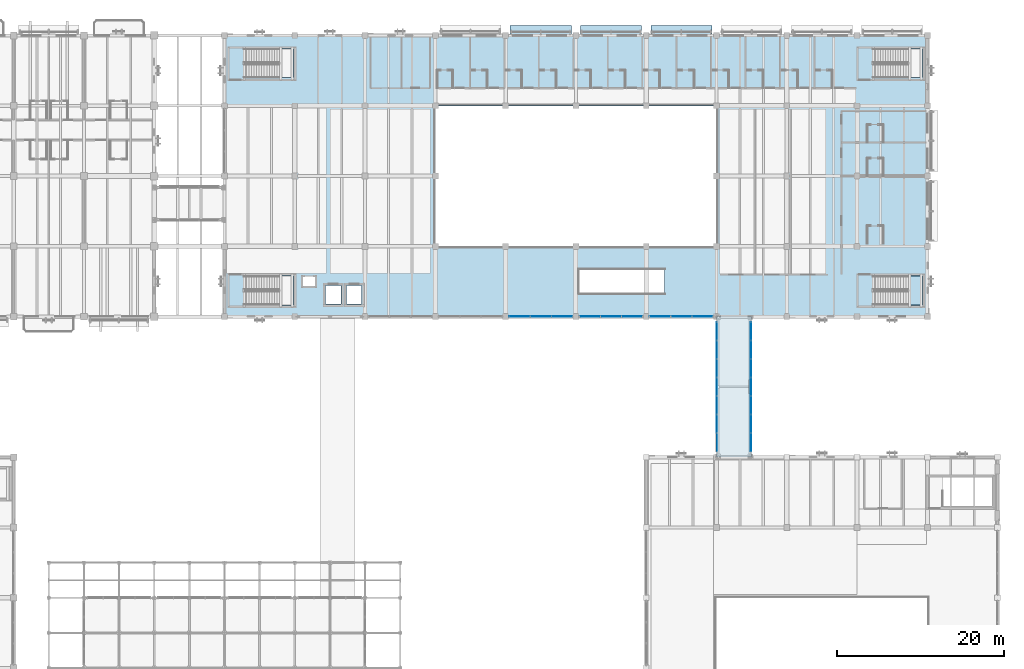
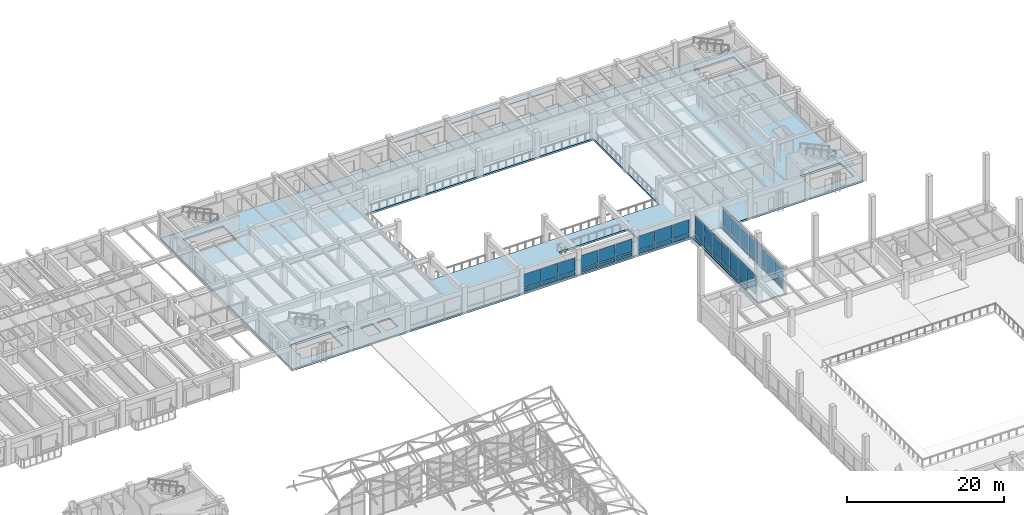
# One storey, part 69 of 132: 48 plates, 3 slabs, 9 elements without a shape of their own.
"""IFC4 building model written with IfcOpenShell, lengths in metres."""

from ifc_helpers import new_model, si_unit, direction, frame, origin, origin_2d, place, context, subcontext, project, spatial, polyline, rectangle, outline, extrude, material, layer, layer_set, type_object, element, aggregate, save


model = new_model("IFC4")

# Units and contexts
model_context = context("Model", 3, precision=1e-05, world=origin(), true_north=direction((0.0, 1.0)))
body_context = subcontext(model_context, "Body", "Model", "MODEL_VIEW")
ifc_project = project(units=[si_unit("LENGTHUNIT", "METRE"), si_unit("AREAUNIT", "SQUARE_METRE"), si_unit("VOLUMEUNIT", "CUBIC_METRE"), si_unit("PLANEANGLEUNIT", "RADIAN"), si_unit("MASSUNIT", "GRAM", prefix="KILO")], contexts=[model_context])

# Site, building, storey
site_placement = place(None, origin())
site = spatial("IfcSite", under=ifc_project, at=site_placement, CompositionType="ELEMENT")
building_placement = place(site_placement, origin())
building = spatial("IfcBuilding", under=site, at=building_placement, Name="Cumbredor Promenade Congress Hotel", CompositionType="ELEMENT")
storey_placement = place(building_placement, frame((0.0, 0.0, 7.56005859375)))
storey = spatial("IfcBuildingStorey", under=building, at=storey_placement, Name="L02", CompositionType="ELEMENT", Elevation=7.56005859375)

# Stair, slab
ifc_material_1 = material(Name="Concrete C40/50", Category="concrete")
stair_type = type_object("IfcStairType", Name="Protected Dog-Leg Exit Stair ST-T3 1650mm", PredefinedType="HALF_TURN_STAIR", material=ifc_material_1)
stair_placement = place(storey_placement, origin())
stair = element("IfcStair", 1, at=stair_placement, inside=storey, type_object=stair_type, Name="L02 Protected Exit Stair ST-14", PredefinedType="HALF_TURN_STAIR")
ifc_layer_1 = layer(ifc_material_1, 0.199951171875, Name="Concrete C40/50", Category="concrete")
ifc_layer_set_1 = layer_set([ifc_layer_1], Name="Concrete C40/50")
slab_type_1 = type_object("IfcSlabType", Name="Concrete Stair Landing Slab 200mm", PredefinedType="LANDING", material=ifc_layer_set_1)
slab_1_placement = place(storey_placement, frame((0.0, 0.0, 1.89990234375)))
slab_1 = element("IfcSlab", 2, at=slab_1_placement, type_object=slab_type_1, Name="ST-14 landing 1", PredefinedType="LANDING", context=body_context, shape_type="SweptSolid", body=[
    extrude(outline(polyline([(174.1201171875, 85.39990234375), (175.820068359375, 85.39990234375), (175.820068359375, 88.85009765625), (174.1201171875, 88.85009765625), (174.1201171875, 85.39990234375)])), origin(), (0.0, 0.0, 1.0), 0.199951171875),
])
aggregate(stair, [slab_1])

# Slab
ifc_layer_2 = layer(ifc_material_1, 0.280029296875, Name="Concrete C40/50", Category="concrete")
ifc_layer_set_2 = layer_set([ifc_layer_2], Name="Concrete C40/50")
slab_type_2 = type_object("IfcSlabType", Name="Gallery Floor Slab 280mm", PredefinedType="FLOOR", material=ifc_layer_set_2)
slab_2_placement = place(storey_placement, frame((0.0, 0.0, -0.280029296875)))
element("IfcSlab", 3, at=slab_2_placement, inside=storey, type_object=slab_type_2, Name="L02 Pre-Function and Breakout Meeting Forum Floor Slab", PredefinedType="FLOOR", context=body_context, shape_type="SweptSolid", body=[
    extrude(outline(polyline([(92.39990234375, 84.0), (176.39990234375, 84.0), (176.39990234375, 117.60009765625), (92.39990234375, 117.60009765625), (92.39990234375, 84.0)]), holes=[polyline([(94.75, 85.39990234375), (100.64990234375, 85.39990234375), (100.64990234375, 88.85009765625), (94.75, 88.85009765625), (94.75, 85.39990234375)]), polyline([(169.919921875, 85.39990234375), (175.820068359375, 85.39990234375), (175.820068359375, 88.85009765625), (169.919921875, 88.85009765625), (169.919921875, 85.39990234375)]), polyline([(94.75, 112.550048828125), (100.64990234375, 112.550048828125), (100.64990234375, 116.0), (94.75, 116.0), (94.75, 112.550048828125)]), polyline([(169.919921875, 112.550048828125), (175.820068359375, 112.550048828125), (175.820068359375, 116.0), (169.919921875, 116.0), (169.919921875, 112.550048828125)]), polyline([(104.5, 85.5), (106.300048828125, 85.5), (106.300048828125, 87.699951171875), (104.5, 87.699951171875), (104.5, 85.5)]), polyline([(107.0, 85.5), (108.800048828125, 85.5), (108.800048828125, 87.699951171875), (107.0, 87.699951171875), (107.0, 85.5)]), polyline([(101.699951171875, 87.60009765625), (103.300048828125, 87.60009765625), (103.300048828125, 88.800048828125), (101.699951171875, 88.800048828125), (101.699951171875, 87.60009765625)]), polyline([(117.60009765625, 92.39990234375), (151.199951171875, 92.39990234375), (151.199951171875, 109.199951171875), (117.60009765625, 109.199951171875), (117.60009765625, 92.39990234375)]), polyline([(134.800048828125, 86.800048828125), (145.0, 86.800048828125), (145.0, 89.60009765625), (134.800048828125, 89.60009765625), (134.800048828125, 86.800048828125)])]), origin(), (0.0, 0.0, 1.0), 0.280029296875),
])

# Curtain wall, plates
ifc_material_2 = material(Name="Thermally broken anodized aluminium and low-E glass", Category="aluminium")
curtain_wall_type_1 = type_object("IfcCurtainWallType", Name="Unitised Bridge Glazing Screen CW-05", PredefinedType="NOTDEFINED", material=ifc_material_2)
curtain_wall_1_placement = place(storey_placement, origin())
curtain_wall_1 = element("IfcCurtainWall", 4, at=curtain_wall_1_placement, inside=storey, type_object=curtain_wall_type_1, Name="L02 East Ballroom-to-Forum Glazed Bridge West Glazing Screen", PredefinedType="NOTDEFINED")
ifc_material_3 = material(Name="Laminated low-E solar-control glass", Category="glass")
ifc_layer_3 = layer(ifc_material_3, 0.030029296875, Name="Laminated low-E solar-control glass", Category="glass")
ifc_layer_set_3 = layer_set([ifc_layer_3], Name="Laminated low-E solar-control glass")
plate_type_1 = type_object("IfcPlateType", Name="Glazed Bridge Panel PNL-04", PredefinedType="CURTAIN_PANEL", material=ifc_layer_set_3)
plate_1_placement = place(storey_placement, frame((151.280029296875, 68.9658203125, 0.78515625), z_axis=(0.0, 0.0, 1.0), x_axis=(0.0, 1.0, 0.0)))
plate_1 = element("IfcPlate", 5, at=plate_1_placement, type_object=plate_type_1, Name="L02 East Ballroom-to-Forum Glazed Bridge West Glazing Screen Glazing Panel 1.2", PredefinedType="CURTAIN_PANEL", context=body_context, shape_type="SweptSolid", body=[
    extrude(rectangle(XDim=2.146484375, YDim=0.030029296875, at=origin_2d()), origin(), (0.0, 0.0, 1.0), 2.909912109375),
])
plate_2_placement = place(storey_placement, frame((151.280029296875, 71.177001953125, 0.78515625), z_axis=(0.0, 0.0, 1.0), x_axis=(0.0, 1.0, 0.0)))
plate_2 = element("IfcPlate", 6, at=plate_2_placement, type_object=plate_type_1, Name="L02 East Ballroom-to-Forum Glazed Bridge West Glazing Screen Glazing Panel 2.2", PredefinedType="CURTAIN_PANEL", context=body_context, shape_type="SweptSolid", body=[
    extrude(rectangle(XDim=2.146484375, YDim=0.030029296875, at=origin_2d()), origin(), (0.0, 0.0, 1.0), 2.909912109375),
])
plate_3_placement = place(storey_placement, frame((151.280029296875, 73.388671875, 0.78515625), z_axis=(0.0, 0.0, 1.0), x_axis=(0.0, 1.0, 0.0)))
plate_3 = element("IfcPlate", 7, at=plate_3_placement, type_object=plate_type_1, Name="L02 East Ballroom-to-Forum Glazed Bridge West Glazing Screen Glazing Panel 3.2", PredefinedType="CURTAIN_PANEL", context=body_context, shape_type="SweptSolid", body=[
    extrude(rectangle(XDim=2.146484375, YDim=0.030029296875, at=origin_2d()), origin(), (0.0, 0.0, 1.0), 2.909912109375),
])
plate_4_placement = place(storey_placement, frame((151.280029296875, 75.60009765625, 0.78515625), z_axis=(0.0, 0.0, 1.0), x_axis=(0.0, 1.0, 0.0)))
plate_4 = element("IfcPlate", 8, at=plate_4_placement, type_object=plate_type_1, Name="L02 East Ballroom-to-Forum Glazed Bridge West Glazing Screen Glazing Panel 4.2", PredefinedType="CURTAIN_PANEL", context=body_context, shape_type="SweptSolid", body=[
    extrude(rectangle(XDim=2.146484375, YDim=0.030029296875, at=origin_2d()), origin(), (0.0, 0.0, 1.0), 2.909912109375),
])
plate_5_placement = place(storey_placement, frame((151.280029296875, 77.811279296875, 0.78515625), z_axis=(0.0, 0.0, 1.0), x_axis=(0.0, 1.0, 0.0)))
plate_5 = element("IfcPlate", 9, at=plate_5_placement, type_object=plate_type_1, Name="L02 East Ballroom-to-Forum Glazed Bridge West Glazing Screen Glazing Panel 5.2", PredefinedType="CURTAIN_PANEL", context=body_context, shape_type="SweptSolid", body=[
    extrude(rectangle(XDim=2.146484375, YDim=0.030029296875, at=origin_2d()), origin(), (0.0, 0.0, 1.0), 2.909912109375),
])
plate_6_placement = place(storey_placement, frame((151.280029296875, 80.02294921875, 0.78515625), z_axis=(0.0, 0.0, 1.0), x_axis=(0.0, 1.0, 0.0)))
plate_6 = element("IfcPlate", 10, at=plate_6_placement, type_object=plate_type_1, Name="L02 East Ballroom-to-Forum Glazed Bridge West Glazing Screen Glazing Panel 6.2", PredefinedType="CURTAIN_PANEL", context=body_context, shape_type="SweptSolid", body=[
    extrude(rectangle(XDim=2.146484375, YDim=0.030029296875, at=origin_2d()), origin(), (0.0, 0.0, 1.0), 2.909912109375),
])
plate_7_placement = place(storey_placement, frame((151.280029296875, 82.234375, 0.78515625), z_axis=(0.0, 0.0, 1.0), x_axis=(0.0, 1.0, 0.0)))
plate_7 = element("IfcPlate", 11, at=plate_7_placement, type_object=plate_type_1, Name="L02 East Ballroom-to-Forum Glazed Bridge West Glazing Screen Glazing Panel 7.2", PredefinedType="CURTAIN_PANEL", context=body_context, shape_type="SweptSolid", body=[
    extrude(rectangle(XDim=2.146484375, YDim=0.030029296875, at=origin_2d()), origin(), (0.0, 0.0, 1.0), 2.909912109375),
])

curtain_wall_2_placement = place(storey_placement, origin())
curtain_wall_2 = element("IfcCurtainWall", 12, at=curtain_wall_2_placement, inside=storey, type_object=curtain_wall_type_1, Name="L02 East Ballroom-to-Forum Glazed Bridge East Glazing Screen", PredefinedType="NOTDEFINED")
plate_8_placement = place(storey_placement, frame((155.320068359375, 68.9658203125, 0.78515625), z_axis=(0.0, 0.0, 1.0), x_axis=(0.0, 1.0, 0.0)))
plate_8 = element("IfcPlate", 13, at=plate_8_placement, type_object=plate_type_1, Name="L02 East Ballroom-to-Forum Glazed Bridge East Glazing Screen Glazing Panel 1.2", PredefinedType="CURTAIN_PANEL", context=body_context, shape_type="SweptSolid", body=[
    extrude(rectangle(XDim=2.146484375, YDim=0.030029296875, at=origin_2d()), origin(), (0.0, 0.0, 1.0), 2.909912109375),
])
plate_9_placement = place(storey_placement, frame((155.320068359375, 71.177001953125, 0.78515625), z_axis=(0.0, 0.0, 1.0), x_axis=(0.0, 1.0, 0.0)))
plate_9 = element("IfcPlate", 14, at=plate_9_placement, type_object=plate_type_1, Name="L02 East Ballroom-to-Forum Glazed Bridge East Glazing Screen Glazing Panel 2.2", PredefinedType="CURTAIN_PANEL", context=body_context, shape_type="SweptSolid", body=[
    extrude(rectangle(XDim=2.146484375, YDim=0.030029296875, at=origin_2d()), origin(), (0.0, 0.0, 1.0), 2.909912109375),
])
plate_10_placement = place(storey_placement, frame((155.320068359375, 73.388671875, 0.78515625), z_axis=(0.0, 0.0, 1.0), x_axis=(0.0, 1.0, 0.0)))
plate_10 = element("IfcPlate", 15, at=plate_10_placement, type_object=plate_type_1, Name="L02 East Ballroom-to-Forum Glazed Bridge East Glazing Screen Glazing Panel 3.2", PredefinedType="CURTAIN_PANEL", context=body_context, shape_type="SweptSolid", body=[
    extrude(rectangle(XDim=2.146484375, YDim=0.030029296875, at=origin_2d()), origin(), (0.0, 0.0, 1.0), 2.909912109375),
])
plate_11_placement = place(storey_placement, frame((155.320068359375, 75.60009765625, 0.78515625), z_axis=(0.0, 0.0, 1.0), x_axis=(0.0, 1.0, 0.0)))
plate_11 = element("IfcPlate", 16, at=plate_11_placement, type_object=plate_type_1, Name="L02 East Ballroom-to-Forum Glazed Bridge East Glazing Screen Glazing Panel 4.2", PredefinedType="CURTAIN_PANEL", context=body_context, shape_type="SweptSolid", body=[
    extrude(rectangle(XDim=2.146484375, YDim=0.030029296875, at=origin_2d()), origin(), (0.0, 0.0, 1.0), 2.909912109375),
])
plate_12_placement = place(storey_placement, frame((155.320068359375, 77.811279296875, 0.78515625), z_axis=(0.0, 0.0, 1.0), x_axis=(0.0, 1.0, 0.0)))
plate_12 = element("IfcPlate", 17, at=plate_12_placement, type_object=plate_type_1, Name="L02 East Ballroom-to-Forum Glazed Bridge East Glazing Screen Glazing Panel 5.2", PredefinedType="CURTAIN_PANEL", context=body_context, shape_type="SweptSolid", body=[
    extrude(rectangle(XDim=2.146484375, YDim=0.030029296875, at=origin_2d()), origin(), (0.0, 0.0, 1.0), 2.909912109375),
])
plate_13_placement = place(storey_placement, frame((155.320068359375, 80.02294921875, 0.78515625), z_axis=(0.0, 0.0, 1.0), x_axis=(0.0, 1.0, 0.0)))
plate_13 = element("IfcPlate", 18, at=plate_13_placement, type_object=plate_type_1, Name="L02 East Ballroom-to-Forum Glazed Bridge East Glazing Screen Glazing Panel 6.2", PredefinedType="CURTAIN_PANEL", context=body_context, shape_type="SweptSolid", body=[
    extrude(rectangle(XDim=2.146484375, YDim=0.030029296875, at=origin_2d()), origin(), (0.0, 0.0, 1.0), 2.909912109375),
])
plate_14_placement = place(storey_placement, frame((155.320068359375, 82.234375, 0.78515625), z_axis=(0.0, 0.0, 1.0), x_axis=(0.0, 1.0, 0.0)))
plate_14 = element("IfcPlate", 19, at=plate_14_placement, type_object=plate_type_1, Name="L02 East Ballroom-to-Forum Glazed Bridge East Glazing Screen Glazing Panel 7.2", PredefinedType="CURTAIN_PANEL", context=body_context, shape_type="SweptSolid", body=[
    extrude(rectangle(XDim=2.146484375, YDim=0.030029296875, at=origin_2d()), origin(), (0.0, 0.0, 1.0), 2.909912109375),
])

curtain_wall_type_2 = type_object("IfcCurtainWallType", Name="Unitised Forum Curtain Wall CW-02", PredefinedType="NOTDEFINED", material=ifc_material_2)
curtain_wall_3_placement = place(storey_placement, origin())
curtain_wall_3 = element("IfcCurtainWall", 20, at=curtain_wall_3_placement, inside=storey, type_object=curtain_wall_type_2, Name="L02 Pre-Function and Breakout Meeting Forum South Curtain Wall 7", PredefinedType="NOTDEFINED")
ifc_layer_4 = layer(ifc_material_3, 0.028076171875, Name="Laminated low-E solar-control glass", Category="glass")
ifc_layer_set_4 = layer_set([ifc_layer_4], Name="Laminated low-E solar-control glass")
plate_type_2 = type_object("IfcPlateType", Name="Glazed Vision Panel PNL-01", PredefinedType="CURTAIN_PANEL", material=ifc_layer_set_4)
plate_15_placement = place(storey_placement, frame((144.469970703125, 84.0, 0.78466796875), z_axis=(0.0, 0.0, 1.0), x_axis=(1.0, 0.0, 0.0)))
plate_15 = element("IfcPlate", 21, at=plate_15_placement, type_object=plate_type_2, Name="L02 Pre-Function and Breakout Meeting Forum South Curtain Wall 7 Glazing Panel 1.2", PredefinedType="CURTAIN_PANEL", context=body_context, shape_type="SweptSolid", body=[
    extrude(rectangle(XDim=2.465087890625, YDim=0.028076171875, at=origin_2d()), origin(), (0.0, 0.0, 1.0), 2.070068359375),
])
plate_16_placement = place(storey_placement, frame((147.0, 84.0, 0.78466796875), z_axis=(0.0, 0.0, 1.0), x_axis=(1.0, 0.0, 0.0)))
plate_16 = element("IfcPlate", 22, at=plate_16_placement, type_object=plate_type_2, Name="L02 Pre-Function and Breakout Meeting Forum South Curtain Wall 7 Glazing Panel 2.2", PredefinedType="CURTAIN_PANEL", context=body_context, shape_type="SweptSolid", body=[
    extrude(rectangle(XDim=2.465087890625, YDim=0.028076171875, at=origin_2d()), origin(), (0.0, 0.0, 1.0), 2.070068359375),
])
plate_17_placement = place(storey_placement, frame((149.530029296875, 84.0, 0.78466796875), z_axis=(0.0, 0.0, 1.0), x_axis=(1.0, 0.0, 0.0)))
plate_17 = element("IfcPlate", 23, at=plate_17_placement, type_object=plate_type_2, Name="L02 Pre-Function and Breakout Meeting Forum South Curtain Wall 7 Glazing Panel 3.2", PredefinedType="CURTAIN_PANEL", context=body_context, shape_type="SweptSolid", body=[
    extrude(rectangle(XDim=2.465087890625, YDim=0.028076171875, at=origin_2d()), origin(), (0.0, 0.0, 1.0), 2.070068359375),
])

curtain_wall_4_placement = place(storey_placement, origin())
curtain_wall_4 = element("IfcCurtainWall", 24, at=curtain_wall_4_placement, inside=storey, type_object=curtain_wall_type_2, Name="L02 Pre-Function and Breakout Meeting Forum South Curtain Wall 5", PredefinedType="NOTDEFINED")
ifc_layer_5 = layer(ifc_material_3, 0.031982421875, Name="Laminated low-E solar-control glass", Category="glass")
ifc_layer_set_5 = layer_set([ifc_layer_5], Name="Laminated low-E solar-control glass")
plate_type_3 = type_object("IfcPlateType", Name="Glazed Vision Panel PNL-02", PredefinedType="CURTAIN_PANEL", material=ifc_layer_set_5)
plate_18_placement = place(storey_placement, frame((127.669921875, 84.0, 0.794921875), z_axis=(0.0, 0.0, 1.0), x_axis=(1.0, 0.0, 0.0)))
plate_18 = element("IfcPlate", 25, at=plate_18_placement, type_object=plate_type_3, Name="L02 Pre-Function and Breakout Meeting Forum South Curtain Wall 5 Glazing Panel 1.2", PredefinedType="CURTAIN_PANEL", context=body_context, shape_type="SweptSolid", body=[
    extrude(rectangle(XDim=2.455078125, YDim=0.031982421875, at=origin_2d()), origin(), (0.0, 0.0, 1.0), 2.0400390625),
])
plate_19_placement = place(storey_placement, frame((130.199951171875, 84.0, 0.794921875), z_axis=(0.0, 0.0, 1.0), x_axis=(1.0, 0.0, 0.0)))
plate_19 = element("IfcPlate", 26, at=plate_19_placement, type_object=plate_type_3, Name="L02 Pre-Function and Breakout Meeting Forum South Curtain Wall 5 Glazing Panel 2.2", PredefinedType="CURTAIN_PANEL", context=body_context, shape_type="SweptSolid", body=[
    extrude(rectangle(XDim=2.455078125, YDim=0.031982421875, at=origin_2d()), origin(), (0.0, 0.0, 1.0), 2.0400390625),
])
plate_20_placement = place(storey_placement, frame((132.72998046875, 84.0, 0.794921875), z_axis=(0.0, 0.0, 1.0), x_axis=(1.0, 0.0, 0.0)))
plate_20 = element("IfcPlate", 27, at=plate_20_placement, type_object=plate_type_3, Name="L02 Pre-Function and Breakout Meeting Forum South Curtain Wall 5 Glazing Panel 3.2", PredefinedType="CURTAIN_PANEL", context=body_context, shape_type="SweptSolid", body=[
    extrude(rectangle(XDim=2.455078125, YDim=0.031982421875, at=origin_2d()), origin(), (0.0, 0.0, 1.0), 2.0400390625),
])

curtain_wall_5_placement = place(storey_placement, origin())
curtain_wall_5 = element("IfcCurtainWall", 28, at=curtain_wall_5_placement, inside=storey, type_object=curtain_wall_type_2, Name="L02 Pre-Function and Breakout Meeting Forum South Curtain Wall 6", PredefinedType="NOTDEFINED")
ifc_layer_6 = layer(ifc_material_3, 0.028076171875, Name="Laminated low-E solar-control glass", Category="glass")
ifc_layer_set_6 = layer_set([ifc_layer_6], Name="Laminated low-E solar-control glass")
plate_type_4 = type_object("IfcPlateType", Name="Glazed Vision Panel PNL-03", PredefinedType="CURTAIN_PANEL", material=ifc_layer_set_6)
plate_21_placement = place(storey_placement, frame((136.070068359375, 84.0, 0.81005859375), z_axis=(0.0, 0.0, 1.0), x_axis=(1.0, 0.0, 0.0)))
plate_21 = element("IfcPlate", 29, at=plate_21_placement, type_object=plate_type_4, Name="L02 Pre-Function and Breakout Meeting Forum South Curtain Wall 6 Glazing Panel 1.2", PredefinedType="CURTAIN_PANEL", context=body_context, shape_type="SweptSolid", body=[
    extrude(rectangle(XDim=2.449951171875, YDim=0.028076171875, at=origin_2d()), origin(), (0.0, 0.0, 1.0), 2.0),
])
plate_22_placement = place(storey_placement, frame((138.60009765625, 84.0, 0.81005859375), z_axis=(0.0, 0.0, 1.0), x_axis=(1.0, 0.0, 0.0)))
plate_22 = element("IfcPlate", 30, at=plate_22_placement, type_object=plate_type_4, Name="L02 Pre-Function and Breakout Meeting Forum South Curtain Wall 6 Glazing Panel 2.2", PredefinedType="CURTAIN_PANEL", context=body_context, shape_type="SweptSolid", body=[
    extrude(rectangle(XDim=2.449951171875, YDim=0.028076171875, at=origin_2d()), origin(), (0.0, 0.0, 1.0), 2.0),
])
plate_23_placement = place(storey_placement, frame((141.1298828125, 84.0, 0.81005859375), z_axis=(0.0, 0.0, 1.0), x_axis=(1.0, 0.0, 0.0)))
plate_23 = element("IfcPlate", 31, at=plate_23_placement, type_object=plate_type_4, Name="L02 Pre-Function and Breakout Meeting Forum South Curtain Wall 6 Glazing Panel 3.2", PredefinedType="CURTAIN_PANEL", context=body_context, shape_type="SweptSolid", body=[
    extrude(rectangle(XDim=2.449951171875, YDim=0.028076171875, at=origin_2d()), origin(), (0.0, 0.0, 1.0), 2.0),
])

# Curtain wall, plate
curtain_wall_type_3 = type_object("IfcCurtainWallType", Name="Solar Brise-Soleil Screen Assembly CW-07", PredefinedType="NOTDEFINED", material=ifc_material_2)
curtain_wall_6_placement = place(storey_placement, origin())
curtain_wall_6 = element("IfcCurtainWall", 32, at=curtain_wall_6_placement, inside=storey, type_object=curtain_wall_type_3, Name="L02 Hospitality Brise-Soleil Screen 031", PredefinedType="NOTDEFINED")
ifc_material_4 = material(Name="Precast concrete C40/50", Category="concrete")
ifc_layer_7 = layer(ifc_material_4, 0.14501953125, Name="Precast concrete C40/50", Category="concrete")
ifc_layer_set_7 = layer_set([ifc_layer_7], Name="Precast concrete C40/50")
plate_type_5 = type_object("IfcPlateType", Name="Horizontal Precast Sun-Hood Eyebrow Plate 145mm", PredefinedType="USERDEFINED", material=ifc_layer_set_7)
plate_24_placement = place(storey_placement, frame((130.199951171875, 118.14990234375, 2.824951171875), z_axis=(0.0, 0.0, 1.0), x_axis=(1.0, 0.0, 0.0)))
plate_24 = element("IfcPlate", 33, at=plate_24_placement, type_object=plate_type_5, Name="L02 Horizontal Sun-Hood Eyebrow 031", ObjectType="SUN HOOD", PredefinedType="USERDEFINED", context=body_context, shape_type="SweptSolid", body=[
    extrude(rectangle(XDim=7.298095703125, YDim=1.260009765625, at=origin_2d()), origin(), (0.0, 0.0, 1.0), 0.14501953125),
])
aggregate(curtain_wall_6, [plate_24])

curtain_wall_7_placement = place(storey_placement, origin())
curtain_wall_7 = element("IfcCurtainWall", 34, at=curtain_wall_7_placement, inside=storey, type_object=curtain_wall_type_3, Name="L02 Hospitality Brise-Soleil Screen 032", PredefinedType="NOTDEFINED")
plate_25_placement = place(storey_placement, frame((138.60009765625, 118.155029296875, 2.824951171875), z_axis=(0.0, 0.0, 1.0), x_axis=(1.0, 0.0, 0.0)))
plate_25 = element("IfcPlate", 35, at=plate_25_placement, type_object=plate_type_5, Name="L02 Horizontal Sun-Hood Eyebrow 032", ObjectType="SUN HOOD", PredefinedType="USERDEFINED", context=body_context, shape_type="SweptSolid", body=[
    extrude(rectangle(XDim=7.298095703125, YDim=1.27001953125, at=origin_2d()), origin(), (0.0, 0.0, 1.0), 0.14501953125),
])
aggregate(curtain_wall_7, [plate_25])

curtain_wall_8_placement = place(storey_placement, origin())
curtain_wall_8 = element("IfcCurtainWall", 36, at=curtain_wall_8_placement, inside=storey, type_object=curtain_wall_type_3, Name="L02 Hospitality Brise-Soleil Screen 033", PredefinedType="NOTDEFINED")
plate_26_placement = place(storey_placement, frame((147.0, 118.159912109375, 2.824951171875), z_axis=(0.0, 0.0, 1.0), x_axis=(1.0, 0.0, 0.0)))
plate_26 = element("IfcPlate", 37, at=plate_26_placement, type_object=plate_type_5, Name="L02 Horizontal Sun-Hood Eyebrow 033", ObjectType="SUN HOOD", PredefinedType="USERDEFINED", context=body_context, shape_type="SweptSolid", body=[
    extrude(rectangle(XDim=7.298095703125, YDim=1.280029296875, at=origin_2d()), origin(), (0.0, 0.0, 1.0), 0.14501953125),
])
aggregate(curtain_wall_8, [plate_26])

# Plate
ifc_material_5 = material(Name="Thermally broken anodized aluminium", Category="aluminium")
ifc_layer_8 = layer(ifc_material_5, 0.0400390625, Name="Thermally broken anodized aluminium", Category="aluminium")
ifc_layer_set_8 = layer_set([ifc_layer_8], Name="Thermally broken anodized aluminium")
plate_type_6 = type_object("IfcPlateType", Name="Insulated Spandrel Panel PNL-05", PredefinedType="CURTAIN_PANEL", material=ifc_layer_set_8)
plate_27_placement = place(storey_placement, frame((136.070068359375, 84.0, 0.18017578125), z_axis=(0.0, 0.0, 1.0), x_axis=(1.0, 0.0, 0.0)))
plate_27 = element("IfcPlate", 38, at=plate_27_placement, type_object=plate_type_6, Name="L02 Pre-Function and Breakout Meeting Forum South Curtain Wall 6 Spandrel Panel 1.1", PredefinedType="CURTAIN_PANEL", context=body_context, shape_type="SweptSolid", body=[
    extrude(rectangle(XDim=2.449951171875, YDim=0.0400390625, at=origin_2d()), origin(), (0.0, 0.0, 1.0), 0.449951171875),
])

plate_28_placement = place(storey_placement, frame((138.60009765625, 84.0, 0.18017578125), z_axis=(0.0, 0.0, 1.0), x_axis=(1.0, 0.0, 0.0)))
plate_28 = element("IfcPlate", 39, at=plate_28_placement, type_object=plate_type_6, Name="L02 Pre-Function and Breakout Meeting Forum South Curtain Wall 6 Spandrel Panel 2.1", PredefinedType="CURTAIN_PANEL", context=body_context, shape_type="SweptSolid", body=[
    extrude(rectangle(XDim=2.449951171875, YDim=0.0400390625, at=origin_2d()), origin(), (0.0, 0.0, 1.0), 0.449951171875),
])

plate_29_placement = place(storey_placement, frame((141.1298828125, 84.0, 0.18017578125), z_axis=(0.0, 0.0, 1.0), x_axis=(1.0, 0.0, 0.0)))
plate_29 = element("IfcPlate", 40, at=plate_29_placement, type_object=plate_type_6, Name="L02 Pre-Function and Breakout Meeting Forum South Curtain Wall 6 Spandrel Panel 3.1", PredefinedType="CURTAIN_PANEL", context=body_context, shape_type="SweptSolid", body=[
    extrude(rectangle(XDim=2.449951171875, YDim=0.0400390625, at=origin_2d()), origin(), (0.0, 0.0, 1.0), 0.449951171875),
])

aggregate(curtain_wall_5, [plate_27, plate_21, plate_28, plate_22, plate_29, plate_23])

ifc_layer_9 = layer(ifc_material_5, 0.0400390625, Name="Thermally broken anodized aluminium", Category="aluminium")
ifc_layer_set_9 = layer_set([ifc_layer_9], Name="Thermally broken anodized aluminium")
plate_type_7 = type_object("IfcPlateType", Name="Insulated Spandrel Panel PNL-06", PredefinedType="CURTAIN_PANEL", material=ifc_layer_set_9)
plate_30_placement = place(storey_placement, frame((127.669921875, 84.0, 0.14501953125), z_axis=(0.0, 0.0, 1.0), x_axis=(1.0, 0.0, 0.0)))
plate_30 = element("IfcPlate", 41, at=plate_30_placement, type_object=plate_type_7, Name="L02 Pre-Function and Breakout Meeting Forum South Curtain Wall 5 Spandrel Panel 1.1", PredefinedType="CURTAIN_PANEL", context=body_context, shape_type="SweptSolid", body=[
    extrude(rectangle(XDim=2.455078125, YDim=0.0400390625, at=origin_2d()), origin(), (0.0, 0.0, 1.0), 0.5),
])

plate_31_placement = place(storey_placement, frame((130.199951171875, 84.0, 0.14501953125), z_axis=(0.0, 0.0, 1.0), x_axis=(1.0, 0.0, 0.0)))
plate_31 = element("IfcPlate", 42, at=plate_31_placement, type_object=plate_type_7, Name="L02 Pre-Function and Breakout Meeting Forum South Curtain Wall 5 Spandrel Panel 2.1", PredefinedType="CURTAIN_PANEL", context=body_context, shape_type="SweptSolid", body=[
    extrude(rectangle(XDim=2.455078125, YDim=0.0400390625, at=origin_2d()), origin(), (0.0, 0.0, 1.0), 0.5),
])

plate_32_placement = place(storey_placement, frame((132.72998046875, 84.0, 0.14501953125), z_axis=(0.0, 0.0, 1.0), x_axis=(1.0, 0.0, 0.0)))
plate_32 = element("IfcPlate", 43, at=plate_32_placement, type_object=plate_type_7, Name="L02 Pre-Function and Breakout Meeting Forum South Curtain Wall 5 Spandrel Panel 3.1", PredefinedType="CURTAIN_PANEL", context=body_context, shape_type="SweptSolid", body=[
    extrude(rectangle(XDim=2.455078125, YDim=0.0400390625, at=origin_2d()), origin(), (0.0, 0.0, 1.0), 0.5),
])

aggregate(curtain_wall_4, [plate_30, plate_18, plate_31, plate_19, plate_32, plate_20])

plate_33_placement = place(storey_placement, frame((144.469970703125, 84.0, 0.125), z_axis=(0.0, 0.0, 1.0), x_axis=(1.0, 0.0, 0.0)))
plate_33 = element("IfcPlate", 44, at=plate_33_placement, type_object=plate_type_7, Name="L02 Pre-Function and Breakout Meeting Forum South Curtain Wall 7 Spandrel Panel 1.1", PredefinedType="CURTAIN_PANEL", context=body_context, shape_type="SweptSolid", body=[
    extrude(rectangle(XDim=2.465087890625, YDim=0.0400390625, at=origin_2d()), origin(), (0.0, 0.0, 1.0), 0.530029296875),
])

plate_34_placement = place(storey_placement, frame((147.0, 84.0, 0.125), z_axis=(0.0, 0.0, 1.0), x_axis=(1.0, 0.0, 0.0)))
plate_34 = element("IfcPlate", 45, at=plate_34_placement, type_object=plate_type_7, Name="L02 Pre-Function and Breakout Meeting Forum South Curtain Wall 7 Spandrel Panel 2.1", PredefinedType="CURTAIN_PANEL", context=body_context, shape_type="SweptSolid", body=[
    extrude(rectangle(XDim=2.465087890625, YDim=0.0400390625, at=origin_2d()), origin(), (0.0, 0.0, 1.0), 0.530029296875),
])

plate_35_placement = place(storey_placement, frame((149.530029296875, 84.0, 0.125), z_axis=(0.0, 0.0, 1.0), x_axis=(1.0, 0.0, 0.0)))
plate_35 = element("IfcPlate", 46, at=plate_35_placement, type_object=plate_type_7, Name="L02 Pre-Function and Breakout Meeting Forum South Curtain Wall 7 Spandrel Panel 3.1", PredefinedType="CURTAIN_PANEL", context=body_context, shape_type="SweptSolid", body=[
    extrude(rectangle(XDim=2.465087890625, YDim=0.0400390625, at=origin_2d()), origin(), (0.0, 0.0, 1.0), 0.530029296875),
])

aggregate(curtain_wall_3, [plate_33, plate_15, plate_34, plate_16, plate_35, plate_17])

plate_36_placement = place(storey_placement, frame((151.280029296875, 71.177001953125, 0.125), z_axis=(0.0, 0.0, 1.0), x_axis=(0.0, 1.0, 0.0)))
plate_36 = element("IfcPlate", 47, at=plate_36_placement, type_object=plate_type_7, Name="L02 East Ballroom-to-Forum Glazed Bridge West Glazing Screen Spandrel Panel 2.1", PredefinedType="CURTAIN_PANEL", context=body_context, shape_type="SweptSolid", body=[
    extrude(rectangle(XDim=2.146484375, YDim=0.0400390625, at=origin_2d()), origin(), (0.0, 0.0, 1.0), 0.530029296875),
])

plate_37_placement = place(storey_placement, frame((151.280029296875, 73.388671875, 0.125), z_axis=(0.0, 0.0, 1.0), x_axis=(0.0, 1.0, 0.0)))
plate_37 = element("IfcPlate", 48, at=plate_37_placement, type_object=plate_type_7, Name="L02 East Ballroom-to-Forum Glazed Bridge West Glazing Screen Spandrel Panel 3.1", PredefinedType="CURTAIN_PANEL", context=body_context, shape_type="SweptSolid", body=[
    extrude(rectangle(XDim=2.146484375, YDim=0.0400390625, at=origin_2d()), origin(), (0.0, 0.0, 1.0), 0.530029296875),
])

plate_38_placement = place(storey_placement, frame((151.280029296875, 75.60009765625, 0.125), z_axis=(0.0, 0.0, 1.0), x_axis=(0.0, 1.0, 0.0)))
plate_38 = element("IfcPlate", 49, at=plate_38_placement, type_object=plate_type_7, Name="L02 East Ballroom-to-Forum Glazed Bridge West Glazing Screen Spandrel Panel 4.1", PredefinedType="CURTAIN_PANEL", context=body_context, shape_type="SweptSolid", body=[
    extrude(rectangle(XDim=2.146484375, YDim=0.0400390625, at=origin_2d()), origin(), (0.0, 0.0, 1.0), 0.530029296875),
])

plate_39_placement = place(storey_placement, frame((151.280029296875, 77.811279296875, 0.125), z_axis=(0.0, 0.0, 1.0), x_axis=(0.0, 1.0, 0.0)))
plate_39 = element("IfcPlate", 50, at=plate_39_placement, type_object=plate_type_7, Name="L02 East Ballroom-to-Forum Glazed Bridge West Glazing Screen Spandrel Panel 5.1", PredefinedType="CURTAIN_PANEL", context=body_context, shape_type="SweptSolid", body=[
    extrude(rectangle(XDim=2.146484375, YDim=0.0400390625, at=origin_2d()), origin(), (0.0, 0.0, 1.0), 0.530029296875),
])

plate_40_placement = place(storey_placement, frame((151.280029296875, 80.02294921875, 0.125), z_axis=(0.0, 0.0, 1.0), x_axis=(0.0, 1.0, 0.0)))
plate_40 = element("IfcPlate", 51, at=plate_40_placement, type_object=plate_type_7, Name="L02 East Ballroom-to-Forum Glazed Bridge West Glazing Screen Spandrel Panel 6.1", PredefinedType="CURTAIN_PANEL", context=body_context, shape_type="SweptSolid", body=[
    extrude(rectangle(XDim=2.146484375, YDim=0.0400390625, at=origin_2d()), origin(), (0.0, 0.0, 1.0), 0.530029296875),
])

plate_41_placement = place(storey_placement, frame((151.280029296875, 82.234375, 0.125), z_axis=(0.0, 0.0, 1.0), x_axis=(0.0, 1.0, 0.0)))
plate_41 = element("IfcPlate", 52, at=plate_41_placement, type_object=plate_type_7, Name="L02 East Ballroom-to-Forum Glazed Bridge West Glazing Screen Spandrel Panel 7.1", PredefinedType="CURTAIN_PANEL", context=body_context, shape_type="SweptSolid", body=[
    extrude(rectangle(XDim=2.146484375, YDim=0.0400390625, at=origin_2d()), origin(), (0.0, 0.0, 1.0), 0.530029296875),
])

aggregate(curtain_wall_1, [plate_1, plate_36, plate_2, plate_37, plate_3, plate_38, plate_4, plate_39, plate_5, plate_40, plate_6, plate_41, plate_7])

plate_42_placement = place(storey_placement, frame((155.320068359375, 68.9658203125, 0.125), z_axis=(0.0, 0.0, 1.0), x_axis=(0.0, 1.0, 0.0)))
plate_42 = element("IfcPlate", 53, at=plate_42_placement, type_object=plate_type_7, Name="L02 East Ballroom-to-Forum Glazed Bridge East Glazing Screen Spandrel Panel 1.1", PredefinedType="CURTAIN_PANEL", context=body_context, shape_type="SweptSolid", body=[
    extrude(rectangle(XDim=2.146484375, YDim=0.0400390625, at=origin_2d()), origin(), (0.0, 0.0, 1.0), 0.530029296875),
])

plate_43_placement = place(storey_placement, frame((155.320068359375, 71.177001953125, 0.125), z_axis=(0.0, 0.0, 1.0), x_axis=(0.0, 1.0, 0.0)))
plate_43 = element("IfcPlate", 54, at=plate_43_placement, type_object=plate_type_7, Name="L02 East Ballroom-to-Forum Glazed Bridge East Glazing Screen Spandrel Panel 2.1", PredefinedType="CURTAIN_PANEL", context=body_context, shape_type="SweptSolid", body=[
    extrude(rectangle(XDim=2.146484375, YDim=0.0400390625, at=origin_2d()), origin(), (0.0, 0.0, 1.0), 0.530029296875),
])

plate_44_placement = place(storey_placement, frame((155.320068359375, 73.388671875, 0.125), z_axis=(0.0, 0.0, 1.0), x_axis=(0.0, 1.0, 0.0)))
plate_44 = element("IfcPlate", 55, at=plate_44_placement, type_object=plate_type_7, Name="L02 East Ballroom-to-Forum Glazed Bridge East Glazing Screen Spandrel Panel 3.1", PredefinedType="CURTAIN_PANEL", context=body_context, shape_type="SweptSolid", body=[
    extrude(rectangle(XDim=2.146484375, YDim=0.0400390625, at=origin_2d()), origin(), (0.0, 0.0, 1.0), 0.530029296875),
])

plate_45_placement = place(storey_placement, frame((155.320068359375, 75.60009765625, 0.125), z_axis=(0.0, 0.0, 1.0), x_axis=(0.0, 1.0, 0.0)))
plate_45 = element("IfcPlate", 56, at=plate_45_placement, type_object=plate_type_7, Name="L02 East Ballroom-to-Forum Glazed Bridge East Glazing Screen Spandrel Panel 4.1", PredefinedType="CURTAIN_PANEL", context=body_context, shape_type="SweptSolid", body=[
    extrude(rectangle(XDim=2.146484375, YDim=0.0400390625, at=origin_2d()), origin(), (0.0, 0.0, 1.0), 0.530029296875),
])

plate_46_placement = place(storey_placement, frame((155.320068359375, 77.811279296875, 0.125), z_axis=(0.0, 0.0, 1.0), x_axis=(0.0, 1.0, 0.0)))
plate_46 = element("IfcPlate", 57, at=plate_46_placement, type_object=plate_type_7, Name="L02 East Ballroom-to-Forum Glazed Bridge East Glazing Screen Spandrel Panel 5.1", PredefinedType="CURTAIN_PANEL", context=body_context, shape_type="SweptSolid", body=[
    extrude(rectangle(XDim=2.146484375, YDim=0.0400390625, at=origin_2d()), origin(), (0.0, 0.0, 1.0), 0.530029296875),
])

plate_47_placement = place(storey_placement, frame((155.320068359375, 80.02294921875, 0.125), z_axis=(0.0, 0.0, 1.0), x_axis=(0.0, 1.0, 0.0)))
plate_47 = element("IfcPlate", 58, at=plate_47_placement, type_object=plate_type_7, Name="L02 East Ballroom-to-Forum Glazed Bridge East Glazing Screen Spandrel Panel 6.1", PredefinedType="CURTAIN_PANEL", context=body_context, shape_type="SweptSolid", body=[
    extrude(rectangle(XDim=2.146484375, YDim=0.0400390625, at=origin_2d()), origin(), (0.0, 0.0, 1.0), 0.530029296875),
])

plate_48_placement = place(storey_placement, frame((155.320068359375, 82.234375, 0.125), z_axis=(0.0, 0.0, 1.0), x_axis=(0.0, 1.0, 0.0)))
plate_48 = element("IfcPlate", 59, at=plate_48_placement, type_object=plate_type_7, Name="L02 East Ballroom-to-Forum Glazed Bridge East Glazing Screen Spandrel Panel 7.1", PredefinedType="CURTAIN_PANEL", context=body_context, shape_type="SweptSolid", body=[
    extrude(rectangle(XDim=2.146484375, YDim=0.0400390625, at=origin_2d()), origin(), (0.0, 0.0, 1.0), 0.530029296875),
])

aggregate(curtain_wall_2, [plate_42, plate_8, plate_43, plate_9, plate_44, plate_10, plate_45, plate_11, plate_46, plate_12, plate_47, plate_13, plate_48, plate_14])

# Slab
ifc_layer_10 = layer(ifc_material_1, 0.219970703125, Name="Concrete C40/50", Category="concrete")
ifc_layer_set_10 = layer_set([ifc_layer_10], Name="Concrete C40/50")
slab_type_3 = type_object("IfcSlabType", Name="Link Bridge Deck Slab 220mm", PredefinedType="FLOOR", material=ifc_layer_set_10)
slab_3_placement = place(storey_placement, frame((0.0, 0.0, -0.219970703125)))
element("IfcSlab", 60, at=slab_3_placement, inside=storey, type_object=slab_type_3, Name="L02 East Ballroom-to-Forum Glazed Bridge Floor Deck", PredefinedType="FLOOR", context=body_context, shape_type="SweptSolid", body=[
    extrude(outline(polyline([(151.199951171875, 67.199951171875), (155.39990234375, 67.199951171875), (155.39990234375, 74.800048828125), (155.050048828125, 74.800048828125), (155.050048828125, 76.39990234375), (155.39990234375, 76.39990234375), (155.39990234375, 84.0), (151.199951171875, 84.0), (151.199951171875, 67.199951171875)])), origin(), (0.0, 0.0, 1.0), 0.219970703125),
])

save(model, "model.ifc")
